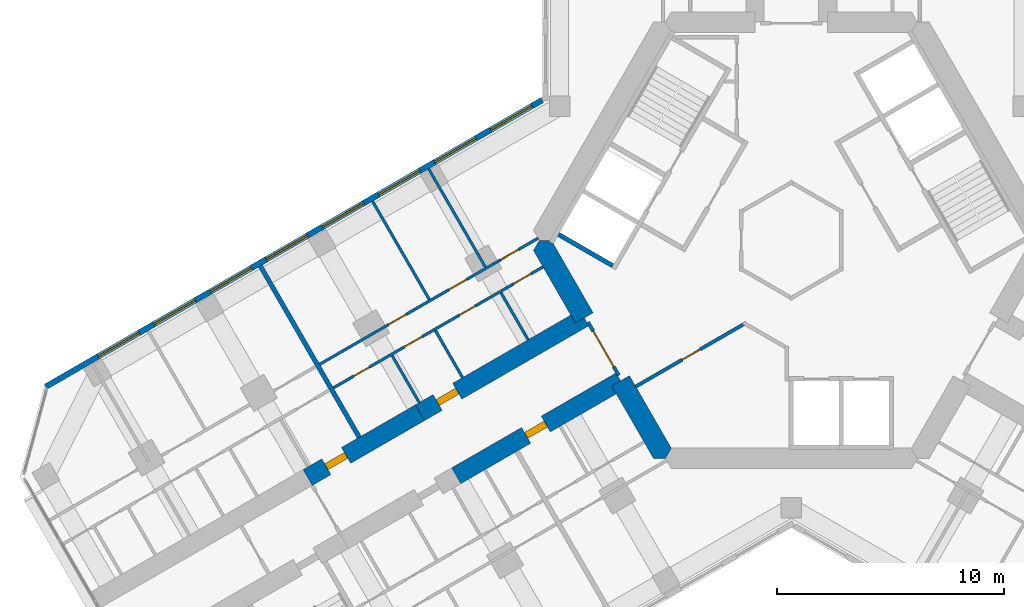
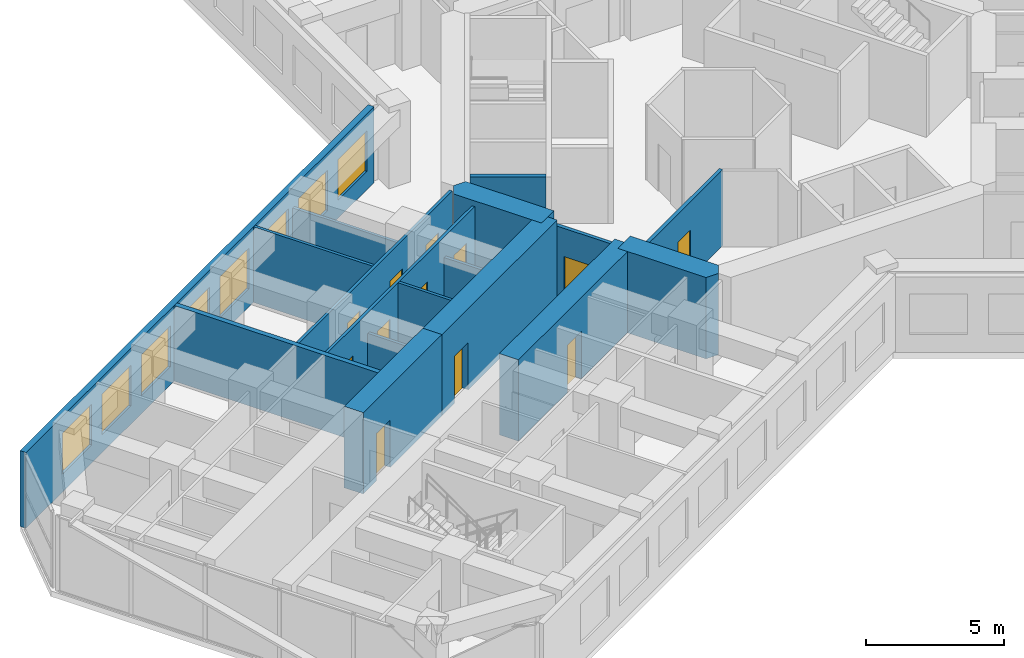
# One storey, part 12 of 20: 17 walls, 12 doors, 8 windows, 20 openings.
"""IFC4 building model written with IfcOpenShell, lengths in metres."""

from ifc_helpers import new_model, si_unit, direction, frame, frame_2d, origin, place, context, subcontext, project, spatial, polyline, rectangle, outline, extrude, material, layer, layer_set, type_object, element, fill, save


model = new_model("IFC4")

# Units and contexts
model_context = context("Model", 3, precision=1e-05, world=origin(), true_north=direction((0.0, 1.0)))
body_context = subcontext(model_context, "Body", "Model", "MODEL_VIEW")
ifc_project = project(units=[si_unit("LENGTHUNIT", "METRE"), si_unit("AREAUNIT", "SQUARE_METRE"), si_unit("VOLUMEUNIT", "CUBIC_METRE"), si_unit("PLANEANGLEUNIT", "RADIAN"), si_unit("MASSUNIT", "GRAM", prefix="KILO")], contexts=[model_context])

# Site, building, storey
site_placement = place(None, origin())
site = spatial("IfcSite", under=ifc_project, at=site_placement, CompositionType="ELEMENT")
building_placement = place(site_placement, origin())
building = spatial("IfcBuilding", under=site, at=building_placement, Name="Kosmar Iwan School Tower", CompositionType="ELEMENT")
storey_placement = place(building_placement, frame((0.0, 0.0, 179.60009765625)))
storey = spatial("IfcBuildingStorey", under=building, at=storey_placement, Name="L45", CompositionType="ELEMENT", Elevation=179.60009765625)

# Wall, opening, door
ifc_material_1 = material(Name="Gypsum board on steel studs, fire-rated", Category="steel")
ifc_layer_1 = layer(ifc_material_1, 0.14990234375)
ifc_layer_set_1 = layer_set([ifc_layer_1], Name="Core room partition 150")
wall_type_1 = type_object("IfcWallType", Name="Core room partition 150", PredefinedType="PARTITIONING", material=ifc_layer_set_1)
wall_1_placement = place(storey_placement, frame((-6.853515625, -6.439453125, 0.0), z_axis=(0.0, 0.0, 1.0), x_axis=(0.866024307761, 0.500001898363, 0.0)))
wall_1 = element("IfcWall", 1, at=wall_1_placement, inside=storey, type_object=wall_type_1, Name="Core room partition L45-CW5", PredefinedType="PARTITIONING", context=body_context, shape_type="SweptSolid", body=[
    extrude(rectangle(XDim=5.62158203125, YDim=0.14990234375, at=frame_2d((2.810791015625, 0.0))), origin(), (0.0, 0.0, 1.0), 3.349853515625),
])
opening_1_placement = place(wall_1_placement, frame((2.381103515625, 0.0, 0.0)))
opening_1 = element("IfcOpeningElement", 2, at=opening_1_placement, cuts=wall_1, Name="Opening D14", PredefinedType="OPENING", context=body_context, shape_type="SweptSolid", body=[
    extrude(rectangle(XDim=0.89990234375, YDim=2.10009765625, at=frame_2d((0.449951171875, 1.050048828125))), frame((0.0, 0.0869140625, 0.0), z_axis=(0.0, -1.0, 0.0), x_axis=(1.0, 0.0, 0.0)), (0.0, 0.0, 1.0), 0.173828125),
])
ifc_material_2 = material(Name="Timber fire door in steel frame", Category="steel")
door_type_1 = type_object("IfcDoorType", Name="Core room door 900x2100", OperationType="SINGLE_SWING_LEFT", PredefinedType="DOOR", material=ifc_material_2)
door_1_placement = place(opening_1_placement, origin())
door_1 = element("IfcDoor", 3, at=door_1_placement, inside=storey, type_object=door_type_1, Name="Bulky waste store door L45 3", OperationType="SINGLE_SWING_RIGHT", OverallHeight=2.10009765625, OverallWidth=0.89990234375, PredefinedType="DOOR", context=body_context, shape_type="SweptSolid", body=[
    extrude(rectangle(XDim=0.89990234375, YDim=2.10009765625, at=frame_2d((0.449951171875, 1.050048828125))), frame((0.0, 0.02490234375, 0.0), z_axis=(0.0, -1.0, 0.0), x_axis=(1.0, 0.0, 0.0)), (0.0, 0.0, 1.0), 0.050048828125),
])
fill(opening_1, door_1)

# Walls
ifc_material_3 = material(Name="Concrete C50/60", Category="concrete")
ifc_layer_2 = layer(ifc_material_3, 0.89990234375)
ifc_layer_set_2 = layer_set([ifc_layer_2], Name="Core wall 900")
wall_type_2 = type_object("IfcWallType", Name="Core wall 900", PredefinedType="SHEAR", material=ifc_layer_set_2)
wall_2_placement = place(storey_placement, origin())
element("IfcWall", 4, at=wall_2_placement, inside=storey, type_object=wall_type_2, Name="Core wall F210a", PredefinedType="SHEAR", context=body_context, shape_type="SweptSolid", body=[
    extrude(outline(polyline([(-9.503662109375, -3.639404296875), (-8.72412109375, -3.189453125), (-10.5654296875, 0.0), (-11.085205078125, 0.0), (-11.344970703125, -0.449951171875), (-9.503662109375, -3.639404296875)])), origin(), (0.0, 0.0, 1.0), 3.599853515625),
])
wall_3_placement = place(storey_placement, origin())
element("IfcWall", 5, at=wall_3_placement, inside=storey, type_object=wall_type_2, Name="Core wall F210b", PredefinedType="SHEAR", context=body_context, shape_type="SweptSolid", body=[
    extrude(outline(polyline([(-6.062255859375, -9.60009765625), (-5.54248046875, -9.60009765625), (-5.28271484375, -9.14990234375), (-7.1240234375, -5.960693359375), (-7.903564453125, -6.41064453125), (-6.062255859375, -9.60009765625)])), origin(), (0.0, 0.0, 1.0), 3.599853515625),
])

# Wall, opening, door
ifc_material_4 = material(Name="Concrete C50/60", Category="concrete")
ifc_layer_3 = layer(ifc_material_4, 0.800048828125)
ifc_layer_set_3 = layer_set([ifc_layer_3], Name="Corridor buttress wall 800")
wall_type_3 = type_object("IfcWallType", Name="Corridor buttress wall 800", PredefinedType="SHEAR", material=ifc_layer_set_3)
wall_4_placement = place(storey_placement, frame((-7.513916015625, -6.185546875, 0.0), z_axis=(0.0, 0.0, 1.0), x_axis=(-0.866019549707, -0.500010139422, 0.0)))
wall_4 = element("IfcWall", 6, at=wall_4_placement, inside=storey, type_object=wall_type_3, Name="Corridor wall BL", PredefinedType="SHEAR", context=body_context, shape_type="SweptSolid", body=[
    extrude(rectangle(XDim=8.349853515625, YDim=0.800048828125, at=frame_2d((4.1748046875, 0.0))), origin(), (0.0, 0.0, 1.0), 3.599853515625),
])
opening_2_placement = place(wall_4_placement, frame((3.800048828125, 0.0, 0.0)))
opening_2 = element("IfcOpeningElement", 7, at=opening_2_placement, cuts=wall_4, Name="Opening D1", PredefinedType="OPENING", context=body_context, shape_type="SweptSolid", body=[
    extrude(rectangle(XDim=1.0, YDim=2.10009765625, at=frame_2d((0.5, 1.050048828125))), frame((0.0, 0.412109375, 0.0), z_axis=(0.0, -1.0, 0.0), x_axis=(1.0, 0.0, 0.0)), (0.0, 0.0, 1.0), 0.823974609375),
])
ifc_material_5 = material(Name="Timber fire door in steel frame", Category="steel")
door_type_2 = type_object("IfcDoorType", Name="Flat entrance door 1000x2100", OperationType="SINGLE_SWING_LEFT", PredefinedType="DOOR", material=ifc_material_5)
door_2_placement = place(opening_2_placement, origin())
door_2 = element("IfcDoor", 8, at=door_2_placement, inside=storey, type_object=door_type_2, Name="Flat L45-BL1 entrance door", OperationType="SINGLE_SWING_LEFT", OverallHeight=2.10009765625, OverallWidth=1.0, PredefinedType="DOOR", context=body_context, shape_type="SweptSolid", body=[
    extrude(rectangle(XDim=1.0, YDim=2.10009765625, at=frame_2d((0.5, 1.050048828125))), frame((0.0, 0.14990234375, 0.0), z_axis=(0.0, -1.0, 0.0), x_axis=(1.0, 0.0, 0.0)), (0.0, 0.0, 1.0), 0.300048828125),
])
fill(opening_2, door_2)

wall_5_placement = place(storey_placement, frame((-9.11376953125, -3.414306640625, 0.0), z_axis=(0.0, 0.0, 1.0), x_axis=(-0.866026859388, -0.499997478812, 0.0)))
wall_5 = element("IfcWall", 9, at=wall_5_placement, inside=storey, type_object=wall_type_3, Name="Corridor wall BR", PredefinedType="SHEAR", context=body_context, shape_type="SweptSolid", body=[
    extrude(rectangle(XDim=8.35009765625, YDim=0.800048828125, at=frame_2d((4.175048828125, 0.0))), origin(), (0.0, 0.0, 1.0), 3.599853515625),
])
opening_3_placement = place(wall_5_placement, frame((6.449951171875, 0.0, 0.0)))
opening_3 = element("IfcOpeningElement", 10, at=opening_3_placement, cuts=wall_5, Name="Opening D1", PredefinedType="OPENING", context=body_context, shape_type="SweptSolid", body=[
    extrude(rectangle(XDim=1.0, YDim=2.10009765625, at=frame_2d((0.5, 1.050048828125))), frame((0.0, 0.412109375, 0.0), z_axis=(0.0, -1.0, 0.0), x_axis=(1.0, 0.0, 0.0)), (0.0, 0.0, 1.0), 0.823974609375),
])
door_3_placement = place(opening_3_placement, origin())
door_3 = element("IfcDoor", 11, at=door_3_placement, inside=storey, type_object=door_type_2, Name="Flat L45-BR1 entrance door", OperationType="SINGLE_SWING_RIGHT", OverallHeight=2.10009765625, OverallWidth=1.0, PredefinedType="DOOR", context=body_context, shape_type="SweptSolid", body=[
    extrude(rectangle(XDim=1.0, YDim=2.10009765625, at=frame_2d((0.5, 1.050048828125))), frame((0.0, 0.14990234375, 0.0), z_axis=(0.0, -1.0, 0.0), x_axis=(1.0, 0.0, 0.0)), (0.0, 0.0, 1.0), 0.300048828125),
])
fill(opening_3, door_3)

wall_6_placement = place(storey_placement, frame((-16.34521484375, -7.58935546875, 0.0), z_axis=(0.0, 0.0, 1.0), x_axis=(-0.866015111908, -0.50001782563, 0.0)))
wall_6 = element("IfcWall", 12, at=wall_6_placement, inside=storey, type_object=wall_type_3, Name="Corridor wall BR bay 2", PredefinedType="SHEAR", context=body_context, shape_type="SweptSolid", body=[
    extrude(rectangle(XDim=5.699951171875, YDim=0.800048828125, at=frame_2d((2.85009765625, 0.0))), origin(), (0.0, 0.0, 1.0), 3.599853515625),
])
opening_4_placement = place(wall_6_placement, frame((3.75, 0.0, 0.0)))
opening_4 = element("IfcOpeningElement", 13, at=opening_4_placement, cuts=wall_6, Name="Opening D1", PredefinedType="OPENING", context=body_context, shape_type="SweptSolid", body=[
    extrude(rectangle(XDim=1.0, YDim=2.10009765625, at=frame_2d((0.5, 1.050048828125))), frame((0.0, 0.412109375, 0.0), z_axis=(0.0, -1.0, 0.0), x_axis=(1.0, 0.0, 0.0)), (0.0, 0.0, 1.0), 0.823974609375),
])
door_4_placement = place(opening_4_placement, origin())
door_4 = element("IfcDoor", 14, at=door_4_placement, inside=storey, type_object=door_type_2, Name="Flat L45-BR2 entrance door", OperationType="SINGLE_SWING_RIGHT", OverallHeight=2.10009765625, OverallWidth=1.0, PredefinedType="DOOR", context=body_context, shape_type="SweptSolid", body=[
    extrude(rectangle(XDim=1.0, YDim=2.10009765625, at=frame_2d((0.5, 1.050048828125))), frame((0.0, 0.14990234375, 0.0), z_axis=(0.0, -1.0, 0.0), x_axis=(1.0, 0.0, 0.0)), (0.0, 0.0, 1.0), 0.300048828125),
])
fill(opening_4, door_4)

ifc_material_6 = material(Name="Steel framed glazed screen", Category="steel")
ifc_layer_4 = layer(ifc_material_6, 0.14990234375)
ifc_layer_set_4 = layer_set([ifc_layer_4], Name="Corridor screen wall 150")
wall_type_4 = type_object("IfcWallType", Name="Corridor screen wall 150", PredefinedType="PARTITIONING", material=ifc_layer_set_4)
wall_7_placement = place(storey_placement, frame((-8.945556640625, -3.60595703125, 0.0), z_axis=(0.0, 0.0, 1.0), x_axis=(0.500048589285, -0.86599734893, 0.0)))
wall_7 = element("IfcWall", 15, at=wall_7_placement, inside=storey, type_object=wall_type_4, Name="Corridor screen B L45", PredefinedType="PARTITIONING", context=body_context, shape_type="SweptSolid", body=[
    extrude(rectangle(XDim=2.699951171875, YDim=0.14990234375, at=frame_2d((1.35009765625, 0.0))), origin(), (0.0, 0.0, 1.0), 3.349853515625),
])
opening_5_placement = place(wall_7_placement, frame((0.449951171875, 0.0, 0.0)))
opening_5 = element("IfcOpeningElement", 16, at=opening_5_placement, cuts=wall_7, Name="Opening D9", PredefinedType="OPENING", context=body_context, shape_type="SweptSolid", body=[
    extrude(rectangle(XDim=1.800048828125, YDim=2.10009765625, at=frame_2d((0.89990234375, 1.050048828125))), frame((0.0, 0.0869140625, 0.0), z_axis=(0.0, -1.0, 0.0), x_axis=(1.0, 0.0, 0.0)), (0.0, 0.0, 1.0), 0.173828125),
])
ifc_material_7 = material(Name="Steel framed glazed smoke door", Category="steel")
door_type_3 = type_object("IfcDoorType", Name="Corridor smoke door pair 1800x2100", OperationType="DOUBLE_DOOR_DOUBLE_SWING", PredefinedType="DOOR", material=ifc_material_7)
door_5_placement = place(opening_5_placement, origin())
door_5 = element("IfcDoor", 17, at=door_5_placement, inside=storey, type_object=door_type_3, Name="Corridor doors B L45", OperationType="DOUBLE_DOOR_DOUBLE_SWING", OverallHeight=2.10009765625, OverallWidth=1.800048828125, PredefinedType="DOOR", context=body_context, shape_type="SweptSolid", body=[
    extrude(rectangle(XDim=1.800048828125, YDim=2.10009765625, at=frame_2d((0.89990234375, 1.050048828125))), frame((0.0, 0.02490234375, 0.0), z_axis=(0.0, -1.0, 0.0), x_axis=(1.0, 0.0, 0.0)), (0.0, 0.0, 1.0), 0.050048828125),
])
fill(opening_5, door_5)

# Wall, openings, doors
ifc_material_8 = material(Name="Gypsum board on steel studs", Category="steel")
ifc_layer_5 = layer(ifc_material_8, 0.1201171875)
ifc_layer_set_5 = layer_set([ifc_layer_5], Name="Dwelling partition 120")
wall_type_5 = type_object("IfcWallType", Name="Dwelling partition 120", PredefinedType="PARTITIONING", material=ifc_layer_set_5)
wall_8_placement = place(storey_placement, frame((-10.928466796875, -1.171142578125, 0.0), z_axis=(0.0, 0.0, 1.0), x_axis=(-0.866032509089, -0.49998769305, 0.0)))
wall_8 = element("IfcWall", 18, at=wall_8_placement, inside=storey, type_object=wall_type_5, Name="Partition L45-BR1-W1", PredefinedType="PARTITIONING", context=body_context, shape_type="SweptSolid", body=[
    extrude(rectangle(XDim=10.650146484375, YDim=0.1201171875, at=frame_2d((5.3251953125, 0.0))), origin(), (0.0, 0.0, 1.0), 3.349853515625),
])
opening_6_placement = place(wall_8_placement, frame((0.610107421875, 0.0, 0.0)))
opening_6 = element("IfcOpeningElement", 19, at=opening_6_placement, cuts=wall_8, Name="Opening D2", PredefinedType="OPENING", context=body_context, shape_type="SweptSolid", body=[
    extrude(rectangle(XDim=0.89990234375, YDim=2.10009765625, at=frame_2d((0.449951171875, 1.050048828125))), frame((0.0, 0.072021484375, 0.0), z_axis=(0.0, -1.0, 0.0), x_axis=(1.0, 0.0, 0.0)), (0.0, 0.0, 1.0), 0.14404296875),
])
opening_7_placement = place(wall_8_placement, frame((3.43505859375, 0.0, 0.0)))
opening_7 = element("IfcOpeningElement", 20, at=opening_7_placement, cuts=wall_8, Name="Opening D3", PredefinedType="OPENING", context=body_context, shape_type="SweptSolid", body=[
    extrude(rectangle(XDim=0.800048828125, YDim=2.10009765625, at=frame_2d((0.39990234375, 1.050048828125))), frame((0.0, 0.072021484375, 0.0), z_axis=(0.0, -1.0, 0.0), x_axis=(1.0, 0.0, 0.0)), (0.0, 0.0, 1.0), 0.14404296875),
])
opening_8_placement = place(wall_8_placement, frame((6.14990234375, 0.0, 0.0)))
opening_8 = element("IfcOpeningElement", 21, at=opening_8_placement, cuts=wall_8, Name="Opening D2", PredefinedType="OPENING", context=body_context, shape_type="SweptSolid", body=[
    extrude(rectangle(XDim=0.89990234375, YDim=2.10009765625, at=frame_2d((0.449951171875, 1.050048828125))), frame((0.0, 0.072021484375, 0.0), z_axis=(0.0, -1.0, 0.0), x_axis=(1.0, 0.0, 0.0)), (0.0, 0.0, 1.0), 0.14404296875),
])
opening_9_placement = place(wall_8_placement, frame((8.824951171875, 0.0, 0.0)))
opening_9 = element("IfcOpeningElement", 22, at=opening_9_placement, cuts=wall_8, Name="Opening D3", PredefinedType="OPENING", context=body_context, shape_type="SweptSolid", body=[
    extrude(rectangle(XDim=0.800048828125, YDim=2.10009765625, at=frame_2d((0.39990234375, 1.050048828125))), frame((0.0, 0.072021484375, 0.0), z_axis=(0.0, -1.0, 0.0), x_axis=(1.0, 0.0, 0.0)), (0.0, 0.0, 1.0), 0.14404296875),
])
ifc_material_9 = material(Name="Timber door in timber frame", Category="wood")
door_type_4 = type_object("IfcDoorType", Name="Internal door 900x2100", OperationType="SINGLE_SWING_LEFT", PredefinedType="DOOR", material=ifc_material_9)
door_6_placement = place(opening_6_placement, origin())
door_6 = element("IfcDoor", 23, at=door_6_placement, inside=storey, type_object=door_type_4, Name="Pantry door L45-BR1-S1", OperationType="SINGLE_SWING_RIGHT", OverallHeight=2.10009765625, OverallWidth=0.89990234375, PredefinedType="DOOR", context=body_context, shape_type="SweptSolid", body=[
    extrude(rectangle(XDim=0.89990234375, YDim=2.10009765625, at=frame_2d((0.449951171875, 1.050048828125))), frame((0.0, 0.02490234375, 0.0), z_axis=(0.0, -1.0, 0.0), x_axis=(1.0, 0.0, 0.0)), (0.0, 0.0, 1.0), 0.050048828125),
])
fill(opening_6, door_6)
door_7_placement = place(opening_8_placement, origin())
door_7 = element("IfcDoor", 24, at=door_7_placement, inside=storey, type_object=door_type_4, Name="Entrance hall door L45-BR1-S3", OperationType="SINGLE_SWING_RIGHT", OverallHeight=2.10009765625, OverallWidth=0.89990234375, PredefinedType="DOOR", context=body_context, shape_type="SweptSolid", body=[
    extrude(rectangle(XDim=0.89990234375, YDim=2.10009765625, at=frame_2d((0.449951171875, 1.050048828125))), frame((0.0, 0.02490234375, 0.0), z_axis=(0.0, -1.0, 0.0), x_axis=(1.0, 0.0, 0.0)), (0.0, 0.0, 1.0), 0.050048828125),
])
fill(opening_8, door_7)
ifc_material_10 = material(Name="Timber door in timber frame", Category="wood")
door_type_5 = type_object("IfcDoorType", Name="Sanitary room door 800x2100", OperationType="SINGLE_SWING_LEFT", PredefinedType="DOOR", material=ifc_material_10)
door_8_placement = place(opening_7_placement, origin())
door_8 = element("IfcDoor", 25, at=door_8_placement, inside=storey, type_object=door_type_5, Name="Bathroom door L45-BR1-S2", OperationType="SINGLE_SWING_LEFT", OverallHeight=2.10009765625, OverallWidth=0.800048828125, PredefinedType="DOOR", context=body_context, shape_type="SweptSolid", body=[
    extrude(rectangle(XDim=0.800048828125, YDim=2.10009765625, at=frame_2d((0.39990234375, 1.050048828125))), frame((0.0, 0.02490234375, 0.0), z_axis=(0.0, -1.0, 0.0), x_axis=(1.0, 0.0, 0.0)), (0.0, 0.0, 1.0), 0.050048828125),
])
fill(opening_7, door_8)
door_9_placement = place(opening_9_placement, origin())
door_9 = element("IfcDoor", 26, at=door_9_placement, inside=storey, type_object=door_type_5, Name="WC door L45-BR1-S4", OperationType="SINGLE_SWING_RIGHT", OverallHeight=2.10009765625, OverallWidth=0.800048828125, PredefinedType="DOOR", context=body_context, shape_type="SweptSolid", body=[
    extrude(rectangle(XDim=0.800048828125, YDim=2.10009765625, at=frame_2d((0.39990234375, 1.050048828125))), frame((0.0, 0.02490234375, 0.0), z_axis=(0.0, -1.0, 0.0), x_axis=(1.0, 0.0, 0.0)), (0.0, 0.0, 1.0), 0.050048828125),
])
fill(opening_9, door_9)

wall_9_placement = place(storey_placement, frame((-11.138916015625, 0.093017578125, 0.0), z_axis=(0.0, 0.0, 1.0), x_axis=(-0.866021494144, -0.500006771635, 0.0)))
wall_9 = element("IfcWall", 27, at=wall_9_placement, inside=storey, type_object=wall_type_5, Name="Partition L45-BR1-W2", PredefinedType="PARTITIONING", context=body_context, shape_type="SweptSolid", body=[
    extrude(rectangle(XDim=11.099853515625, YDim=0.1201171875, at=frame_2d((5.5498046875, 0.0))), origin(), (0.0, 0.0, 1.0), 3.349853515625),
])
opening_10_placement = place(wall_9_placement, frame((1.0, 0.0, 0.0)))
opening_10 = element("IfcOpeningElement", 28, at=opening_10_placement, cuts=wall_9, Name="Opening D2", PredefinedType="OPENING", context=body_context, shape_type="SweptSolid", body=[
    extrude(rectangle(XDim=0.89990234375, YDim=2.10009765625, at=frame_2d((0.449951171875, 1.050048828125))), frame((0.0, 0.072021484375, 0.0), z_axis=(0.0, -1.0, 0.0), x_axis=(1.0, 0.0, 0.0)), (0.0, 0.0, 1.0), 0.14404296875),
])
opening_11_placement = place(wall_9_placement, frame((3.625, 0.0, 0.0)))
opening_11 = element("IfcOpeningElement", 29, at=opening_11_placement, cuts=wall_9, Name="Opening D2", PredefinedType="OPENING", context=body_context, shape_type="SweptSolid", body=[
    extrude(rectangle(XDim=0.89990234375, YDim=2.10009765625, at=frame_2d((0.449951171875, 1.050048828125))), frame((0.0, 0.072021484375, 0.0), z_axis=(0.0, -1.0, 0.0), x_axis=(1.0, 0.0, 0.0)), (0.0, 0.0, 1.0), 0.14404296875),
])
opening_12_placement = place(wall_9_placement, frame((6.699951171875, 0.0, 0.0)))
opening_12 = element("IfcOpeningElement", 30, at=opening_12_placement, cuts=wall_9, Name="Opening D2", PredefinedType="OPENING", context=body_context, shape_type="SweptSolid", body=[
    extrude(rectangle(XDim=0.89990234375, YDim=2.10009765625, at=frame_2d((0.449951171875, 1.050048828125))), frame((0.0, 0.072021484375, 0.0), z_axis=(0.0, -1.0, 0.0), x_axis=(1.0, 0.0, 0.0)), (0.0, 0.0, 1.0), 0.14404296875),
])
door_10_placement = place(opening_10_placement, origin())
door_10 = element("IfcDoor", 31, at=door_10_placement, inside=storey, type_object=door_type_4, Name="Bedroom 1 door L45-BR1-F1", OperationType="SINGLE_SWING_LEFT", OverallHeight=2.10009765625, OverallWidth=0.89990234375, PredefinedType="DOOR", context=body_context, shape_type="SweptSolid", body=[
    extrude(rectangle(XDim=0.89990234375, YDim=2.10009765625, at=frame_2d((0.449951171875, 1.050048828125))), frame((0.0, 0.02490234375, 0.0), z_axis=(0.0, -1.0, 0.0), x_axis=(1.0, 0.0, 0.0)), (0.0, 0.0, 1.0), 0.050048828125),
])
fill(opening_10, door_10)
door_11_placement = place(opening_11_placement, origin())
door_11 = element("IfcDoor", 32, at=door_11_placement, inside=storey, type_object=door_type_4, Name="Study door L45-BR1-F2", OperationType="SINGLE_SWING_LEFT", OverallHeight=2.10009765625, OverallWidth=0.89990234375, PredefinedType="DOOR", context=body_context, shape_type="SweptSolid", body=[
    extrude(rectangle(XDim=0.89990234375, YDim=2.10009765625, at=frame_2d((0.449951171875, 1.050048828125))), frame((0.0, 0.02490234375, 0.0), z_axis=(0.0, -1.0, 0.0), x_axis=(1.0, 0.0, 0.0)), (0.0, 0.0, 1.0), 0.050048828125),
])
fill(opening_11, door_11)
door_12_placement = place(opening_12_placement, origin())
door_12 = element("IfcDoor", 33, at=door_12_placement, inside=storey, type_object=door_type_4, Name="Family room and kitchen door L45-BR1-F3", OperationType="SINGLE_SWING_RIGHT", OverallHeight=2.10009765625, OverallWidth=0.89990234375, PredefinedType="DOOR", context=body_context, shape_type="SweptSolid", body=[
    extrude(rectangle(XDim=0.89990234375, YDim=2.10009765625, at=frame_2d((0.449951171875, 1.050048828125))), frame((0.0, 0.02490234375, 0.0), z_axis=(0.0, -1.0, 0.0), x_axis=(1.0, 0.0, 0.0)), (0.0, 0.0, 1.0), 0.050048828125),
])
fill(opening_12, door_12)

# Walls
wall_10_placement = place(storey_placement, frame((-13.4638671875, -1.179931640625, 0.0), z_axis=(0.0, 0.0, 1.0), x_axis=(-0.499975153383, 0.86603974851, 0.0)))
element("IfcWall", 34, at=wall_10_placement, inside=storey, type_object=wall_type_5, Name="Partition L45-BR1-X1", PredefinedType="PARTITIONING", context=body_context, shape_type="SweptSolid", body=[
    extrude(rectangle(XDim=4.989990234375, YDim=0.1201171875, at=frame_2d((2.4951171875, 0.0))), origin(), (0.0, 0.0, 1.0), 2.449951171875),
])
wall_11_placement = place(storey_placement, frame((-15.931884765625, -2.60498046875, 0.0), z_axis=(0.0, 0.0, 1.0), x_axis=(-0.500011847778, 0.866018563358, 0.0)))
element("IfcWall", 35, at=wall_11_placement, inside=storey, type_object=wall_type_5, Name="Partition L45-BR1-X2", PredefinedType="PARTITIONING", context=body_context, shape_type="SweptSolid", body=[
    extrude(rectangle(XDim=4.990234375, YDim=0.1201171875, at=frame_2d((2.4951171875, 0.0))), origin(), (0.0, 0.0, 1.0), 3.349853515625),
])
wall_12_placement = place(storey_placement, frame((-11.582763671875, -4.3779296875, 0.0), z_axis=(0.0, 0.0, 1.0), x_axis=(-0.500017192868, 0.86601547725, 0.0)))
element("IfcWall", 36, at=wall_12_placement, inside=storey, type_object=wall_type_5, Name="Partition L45-BR1-Y1", PredefinedType="PARTITIONING", context=body_context, shape_type="SweptSolid", body=[
    extrude(rectangle(XDim=2.39013671875, YDim=0.1201171875, at=frame_2d((1.195068359375, 0.0))), origin(), (0.0, 0.0, 1.0), 2.449951171875),
])
wall_13_placement = place(storey_placement, frame((-14.466796875, -6.04296875, 0.0), z_axis=(0.0, 0.0, 1.0), x_axis=(-0.499940577336, 0.866059708757, 0.0)))
element("IfcWall", 37, at=wall_13_placement, inside=storey, type_object=wall_type_5, Name="Partition L45-BR1-Y2", PredefinedType="PARTITIONING", context=body_context, shape_type="SweptSolid", body=[
    extrude(rectangle(XDim=2.389892578125, YDim=0.1201171875, at=frame_2d((1.19482421875, 0.0))), origin(), (0.0, 0.0, 1.0), 3.349853515625),
])
wall_14_placement = place(storey_placement, frame((-16.371826171875, -7.14306640625, 0.0), z_axis=(0.0, 0.0, 1.0), x_axis=(-0.500017192868, 0.86601547725, 0.0)))
element("IfcWall", 38, at=wall_14_placement, inside=storey, type_object=wall_type_5, Name="Partition L45-BR1-Y3", PredefinedType="PARTITIONING", context=body_context, shape_type="SweptSolid", body=[
    extrude(rectangle(XDim=2.39013671875, YDim=0.1201171875, at=frame_2d((1.195068359375, 0.0))), origin(), (0.0, 0.0, 1.0), 2.449951171875),
])

# Wall, openings, windows
ifc_material_11 = material(Name="Black aluminium rainscreen on insulated framing", Category="aluminium")
ifc_layer_6 = layer(ifc_material_11, 0.25)
ifc_layer_set_6 = layer_set([ifc_layer_6], Name="External wall rainscreen 250")
wall_type_6 = type_object("IfcWallType", Name="External wall rainscreen 250", PredefinedType="SOLIDWALL", material=ifc_layer_set_6)
wall_15_placement = place(storey_placement, frame((-10.962890625, 6.170166015625, 0.0), z_axis=(0.0, 0.0, 1.0), x_axis=(-0.86602796634, -0.499995561497, 0.0)))
wall_15 = element("IfcWall", 39, at=wall_15_placement, inside=storey, type_object=wall_type_6, Name="External wall BR L45", PredefinedType="SOLIDWALL", context=body_context, shape_type="SweptSolid", body=[
    extrude(rectangle(XDim=25.226318359375, YDim=0.25, at=frame_2d((12.61328125, 0.0))), origin(), (0.0, 0.0, 1.0), 3.349853515625),
])
opening_13_placement = place(wall_15_placement, frame((0.51611328125, 0.0, 0.800048828125)))
opening_13 = element("IfcOpeningElement", 40, at=opening_13_placement, cuts=wall_15, Name="Opening W4", PredefinedType="OPENING", context=body_context, shape_type="SweptSolid", body=[
    extrude(rectangle(XDim=2.10009765625, YDim=1.800048828125, at=frame_2d((1.050048828125, 0.89990234375))), frame((0.0, 0.136962890625, 0.0), z_axis=(0.0, -1.0, 0.0), x_axis=(1.0, 0.0, 0.0)), (0.0, 0.0, 1.0), 0.27392578125),
])
opening_14_placement = place(wall_15_placement, frame((3.365966796875, 0.0, 0.800048828125)))
opening_14 = element("IfcOpeningElement", 41, at=opening_14_placement, cuts=wall_15, Name="Opening W4", PredefinedType="OPENING", context=body_context, shape_type="SweptSolid", body=[
    extrude(rectangle(XDim=2.10009765625, YDim=1.800048828125, at=frame_2d((1.050048828125, 0.89990234375))), frame((0.0, 0.136962890625, 0.0), z_axis=(0.0, -1.0, 0.0), x_axis=(1.0, 0.0, 0.0)), (0.0, 0.0, 1.0), 0.27392578125),
])
opening_15_placement = place(wall_15_placement, frame((6.216064453125, 0.0, 0.800048828125)))
opening_15 = element("IfcOpeningElement", 42, at=opening_15_placement, cuts=wall_15, Name="Opening W4", PredefinedType="OPENING", context=body_context, shape_type="SweptSolid", body=[
    extrude(rectangle(XDim=2.10009765625, YDim=1.800048828125, at=frame_2d((1.050048828125, 0.89990234375))), frame((0.0, 0.136962890625, 0.0), z_axis=(0.0, -1.0, 0.0), x_axis=(1.0, 0.0, 0.0)), (0.0, 0.0, 1.0), 0.27392578125),
])
opening_16_placement = place(wall_15_placement, frame((9.06591796875, 0.0, 0.800048828125)))
opening_16 = element("IfcOpeningElement", 43, at=opening_16_placement, cuts=wall_15, Name="Opening W4", PredefinedType="OPENING", context=body_context, shape_type="SweptSolid", body=[
    extrude(rectangle(XDim=2.10009765625, YDim=1.800048828125, at=frame_2d((1.050048828125, 0.89990234375))), frame((0.0, 0.136962890625, 0.0), z_axis=(0.0, -1.0, 0.0), x_axis=(1.0, 0.0, 0.0)), (0.0, 0.0, 1.0), 0.27392578125),
])
opening_17_placement = place(wall_15_placement, frame((11.916015625, 0.0, 0.800048828125)))
opening_17 = element("IfcOpeningElement", 44, at=opening_17_placement, cuts=wall_15, Name="Opening W4", PredefinedType="OPENING", context=body_context, shape_type="SweptSolid", body=[
    extrude(rectangle(XDim=2.10009765625, YDim=1.800048828125, at=frame_2d((1.050048828125, 0.89990234375))), frame((0.0, 0.136962890625, 0.0), z_axis=(0.0, -1.0, 0.0), x_axis=(1.0, 0.0, 0.0)), (0.0, 0.0, 1.0), 0.27392578125),
])
opening_18_placement = place(wall_15_placement, frame((14.76611328125, 0.0, 0.800048828125)))
opening_18 = element("IfcOpeningElement", 45, at=opening_18_placement, cuts=wall_15, Name="Opening W4", PredefinedType="OPENING", context=body_context, shape_type="SweptSolid", body=[
    extrude(rectangle(XDim=2.10009765625, YDim=1.800048828125, at=frame_2d((1.050048828125, 0.89990234375))), frame((0.0, 0.136962890625, 0.0), z_axis=(0.0, -1.0, 0.0), x_axis=(1.0, 0.0, 0.0)), (0.0, 0.0, 1.0), 0.27392578125),
])
opening_19_placement = place(wall_15_placement, frame((17.615966796875, 0.0, 0.800048828125)))
opening_19 = element("IfcOpeningElement", 46, at=opening_19_placement, cuts=wall_15, Name="Opening W4", PredefinedType="OPENING", context=body_context, shape_type="SweptSolid", body=[
    extrude(rectangle(XDim=2.10009765625, YDim=1.800048828125, at=frame_2d((1.050048828125, 0.89990234375))), frame((0.0, 0.136962890625, 0.0), z_axis=(0.0, -1.0, 0.0), x_axis=(1.0, 0.0, 0.0)), (0.0, 0.0, 1.0), 0.27392578125),
])
opening_20_placement = place(wall_15_placement, frame((20.466064453125, 0.0, 0.800048828125)))
opening_20 = element("IfcOpeningElement", 47, at=opening_20_placement, cuts=wall_15, Name="Opening W4", PredefinedType="OPENING", context=body_context, shape_type="SweptSolid", body=[
    extrude(rectangle(XDim=2.10009765625, YDim=1.800048828125, at=frame_2d((1.050048828125, 0.89990234375))), frame((0.0, 0.136962890625, 0.0), z_axis=(0.0, -1.0, 0.0), x_axis=(1.0, 0.0, 0.0)), (0.0, 0.0, 1.0), 0.27392578125),
])
ifc_material_12 = material(Name="Black aluminium frame with dark triple glazing", Category="aluminium")
window_type = type_object("IfcWindowType", Name="Window 2100x1800", PartitioningType="SINGLE_PANEL", PredefinedType="WINDOW", material=ifc_material_12)
window_1_placement = place(opening_13_placement, origin())
window_1 = element("IfcWindow", 48, at=window_1_placement, inside=storey, type_object=window_type, Name="Window BR L45 -1", OverallHeight=1.800048828125, OverallWidth=2.10009765625, PartitioningType="SINGLE_PANEL", PredefinedType="WINDOW", context=body_context, shape_type="SweptSolid", body=[
    extrude(rectangle(XDim=2.10009765625, YDim=1.800048828125, at=frame_2d((1.050048828125, 0.89990234375))), frame((0.0, 0.030029296875, 0.0), z_axis=(0.0, -1.0, 0.0), x_axis=(1.0, 0.0, 0.0)), (0.0, 0.0, 1.0), 0.06005859375),
])
fill(opening_13, window_1)
window_2_placement = place(opening_14_placement, origin())
window_2 = element("IfcWindow", 49, at=window_2_placement, inside=storey, type_object=window_type, Name="Window BR L45 0", OverallHeight=1.800048828125, OverallWidth=2.10009765625, PartitioningType="SINGLE_PANEL", PredefinedType="WINDOW", context=body_context, shape_type="SweptSolid", body=[
    extrude(rectangle(XDim=2.10009765625, YDim=1.800048828125, at=frame_2d((1.050048828125, 0.89990234375))), frame((0.0, 0.030029296875, 0.0), z_axis=(0.0, -1.0, 0.0), x_axis=(1.0, 0.0, 0.0)), (0.0, 0.0, 1.0), 0.06005859375),
])
fill(opening_14, window_2)
window_3_placement = place(opening_15_placement, origin())
window_3 = element("IfcWindow", 50, at=window_3_placement, inside=storey, type_object=window_type, Name="Window BR L45 1", OverallHeight=1.800048828125, OverallWidth=2.10009765625, PartitioningType="SINGLE_PANEL", PredefinedType="WINDOW", context=body_context, shape_type="SweptSolid", body=[
    extrude(rectangle(XDim=2.10009765625, YDim=1.800048828125, at=frame_2d((1.050048828125, 0.89990234375))), frame((0.0, 0.030029296875, 0.0), z_axis=(0.0, -1.0, 0.0), x_axis=(1.0, 0.0, 0.0)), (0.0, 0.0, 1.0), 0.06005859375),
])
fill(opening_15, window_3)
window_4_placement = place(opening_16_placement, origin())
window_4 = element("IfcWindow", 51, at=window_4_placement, inside=storey, type_object=window_type, Name="Window BR L45 2", OverallHeight=1.800048828125, OverallWidth=2.10009765625, PartitioningType="SINGLE_PANEL", PredefinedType="WINDOW", context=body_context, shape_type="SweptSolid", body=[
    extrude(rectangle(XDim=2.10009765625, YDim=1.800048828125, at=frame_2d((1.050048828125, 0.89990234375))), frame((0.0, 0.030029296875, 0.0), z_axis=(0.0, -1.0, 0.0), x_axis=(1.0, 0.0, 0.0)), (0.0, 0.0, 1.0), 0.06005859375),
])
fill(opening_16, window_4)
window_5_placement = place(opening_17_placement, origin())
window_5 = element("IfcWindow", 52, at=window_5_placement, inside=storey, type_object=window_type, Name="Window BR L45 3", OverallHeight=1.800048828125, OverallWidth=2.10009765625, PartitioningType="SINGLE_PANEL", PredefinedType="WINDOW", context=body_context, shape_type="SweptSolid", body=[
    extrude(rectangle(XDim=2.10009765625, YDim=1.800048828125, at=frame_2d((1.050048828125, 0.89990234375))), frame((0.0, 0.030029296875, 0.0), z_axis=(0.0, -1.0, 0.0), x_axis=(1.0, 0.0, 0.0)), (0.0, 0.0, 1.0), 0.06005859375),
])
fill(opening_17, window_5)
window_6_placement = place(opening_18_placement, origin())
window_6 = element("IfcWindow", 53, at=window_6_placement, inside=storey, type_object=window_type, Name="Window BR L45 4", OverallHeight=1.800048828125, OverallWidth=2.10009765625, PartitioningType="SINGLE_PANEL", PredefinedType="WINDOW", context=body_context, shape_type="SweptSolid", body=[
    extrude(rectangle(XDim=2.10009765625, YDim=1.800048828125, at=frame_2d((1.050048828125, 0.89990234375))), frame((0.0, 0.030029296875, 0.0), z_axis=(0.0, -1.0, 0.0), x_axis=(1.0, 0.0, 0.0)), (0.0, 0.0, 1.0), 0.06005859375),
])
fill(opening_18, window_6)
window_7_placement = place(opening_19_placement, origin())
window_7 = element("IfcWindow", 54, at=window_7_placement, inside=storey, type_object=window_type, Name="Window BR L45 5", OverallHeight=1.800048828125, OverallWidth=2.10009765625, PartitioningType="SINGLE_PANEL", PredefinedType="WINDOW", context=body_context, shape_type="SweptSolid", body=[
    extrude(rectangle(XDim=2.10009765625, YDim=1.800048828125, at=frame_2d((1.050048828125, 0.89990234375))), frame((0.0, 0.030029296875, 0.0), z_axis=(0.0, -1.0, 0.0), x_axis=(1.0, 0.0, 0.0)), (0.0, 0.0, 1.0), 0.06005859375),
])
fill(opening_19, window_7)
window_8_placement = place(opening_20_placement, origin())
window_8 = element("IfcWindow", 55, at=window_8_placement, inside=storey, type_object=window_type, Name="Window BR L45 6", OverallHeight=1.800048828125, OverallWidth=2.10009765625, PartitioningType="SINGLE_PANEL", PredefinedType="WINDOW", context=body_context, shape_type="SweptSolid", body=[
    extrude(rectangle(XDim=2.10009765625, YDim=1.800048828125, at=frame_2d((1.050048828125, 0.89990234375))), frame((0.0, 0.030029296875, 0.0), z_axis=(0.0, -1.0, 0.0), x_axis=(1.0, 0.0, 0.0)), (0.0, 0.0, 1.0), 0.06005859375),
])
fill(opening_20, window_8)

# Walls
ifc_material_13 = material(Name="Concrete C50/60", Category="concrete")
ifc_layer_7 = layer(ifc_material_13, 0.199951171875)
ifc_layer_set_7 = layer_set([ifc_layer_7], Name="Lift shaft wall 200")
wall_type_7 = type_object("IfcWallType", Name="Lift shaft wall 200", PredefinedType="SHEAR", material=ifc_layer_set_7)
wall_16_placement = place(storey_placement, frame((-7.862548828125, -1.118408203125, 0.0), z_axis=(0.0, 0.0, 1.0), x_axis=(-0.866027397988, 0.499996545922, 0.0)))
element("IfcWall", 56, at=wall_16_placement, inside=storey, type_object=wall_type_7, Name="Lift shaft wall AB 2", PredefinedType="SHEAR", context=body_context, shape_type="SweptSolid", body=[
    extrude(rectangle(XDim=2.75, YDim=0.199951171875, at=frame_2d((1.375, 0.0))), origin(), (0.0, 0.0, 1.0), 3.599853515625),
])
ifc_material_14 = material(Name="Concrete block masonry", Category="masonry")
ifc_layer_8 = layer(ifc_material_14, 0.199951171875)
ifc_layer_set_8 = layer_set([ifc_layer_8], Name="Party wall 200")
wall_type_8 = type_object("IfcWallType", Name="Party wall 200", PredefinedType="PARTITIONING", material=ifc_layer_set_8)
wall_17_placement = place(storey_placement, frame((-19.013427734375, -8.66796875, 0.0), z_axis=(0.0, 0.0, 1.0), x_axis=(-0.499987231761, 0.866032775405, 0.0)))
element("IfcWall", 57, at=wall_17_placement, inside=storey, type_object=wall_type_8, Name="Partition L45-BR2-PW", PredefinedType="PARTITIONING", context=body_context, shape_type="SweptSolid", body=[
    extrude(rectangle(XDim=8.699951171875, YDim=0.199951171875, at=frame_2d((4.35009765625, 0.0))), origin(), (0.0, 0.0, 1.0), 3.349853515625),
])

save(model, "model.ifc")
